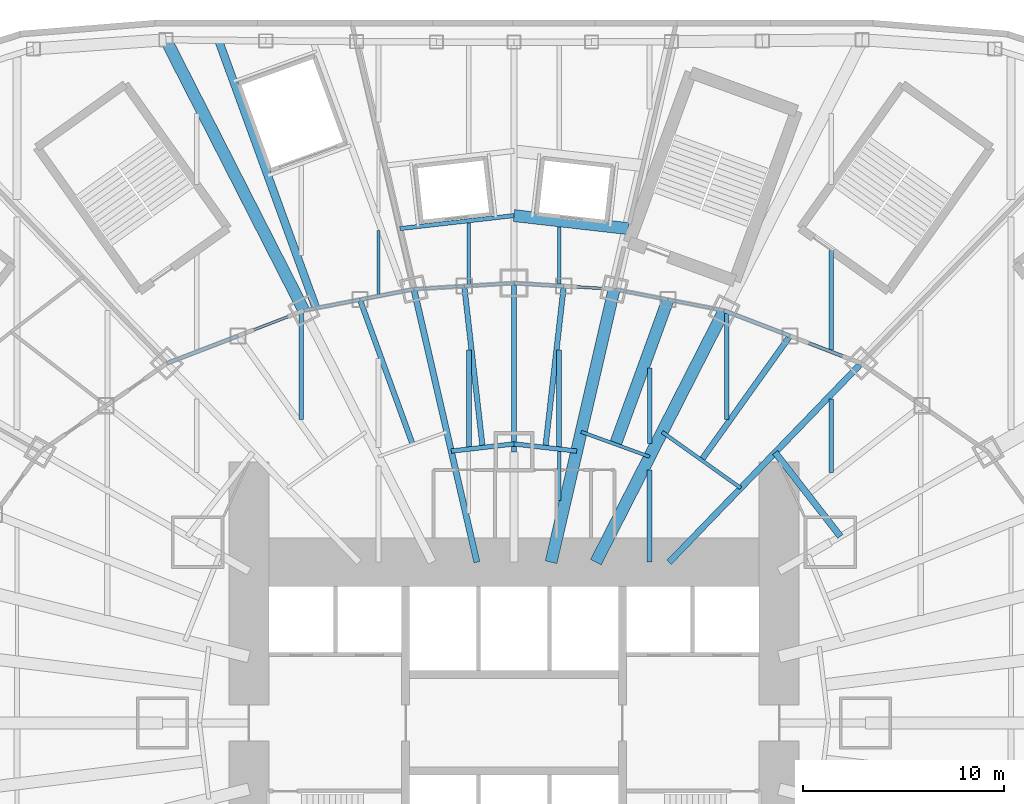
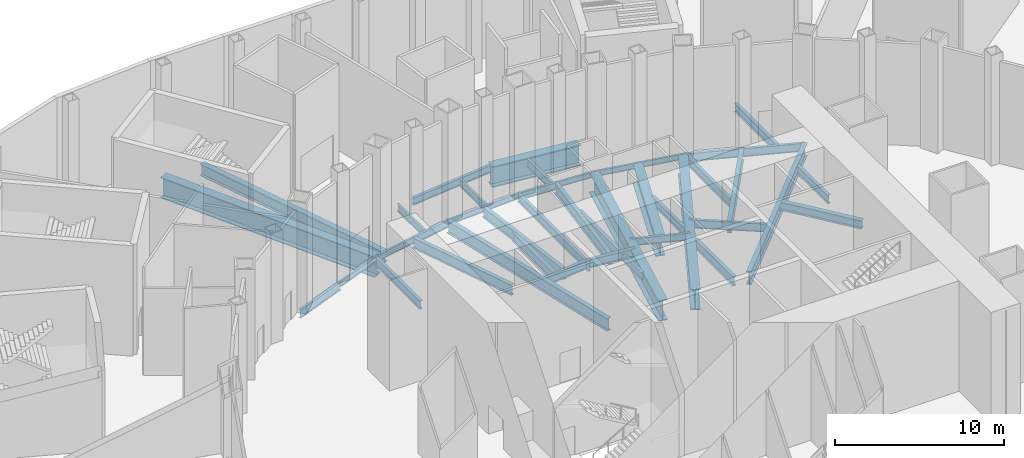
# One storey, part 7 of 74: 43 beams.
"""IFC4 building model written with IfcOpenShell, lengths in metres."""

import ifcopenshell
import ifcopenshell.guid

model = None  # the IFC model being written
_history = None  # IfcOwnerHistory: only IFC2X3 demands one
_inside = {}  # id of a spatial element -> (the spatial element, [elements in it])
_under = {}  # id of a project, library or spatial element -> (it, [spatial elements below it])
_declared = {}  # id of a project -> (the project, [libraries it declares])
_typed = {}  # id of a type object -> (the type object, [elements of that type])
_made_of = {}  # id of a material, layer set ... -> (it, [elements and type objects made of it])


def new_model(schema):
    """Start an empty IFC model of exactly this schema.

    Asked for "IFC4X3", IfcOpenShell would pick the latest addendum, in which some entities
    have other attributes; the version numbers below select the first issue.
    IFC2X3 requires an IfcOwnerHistory on every rooted entity: one is made here for all.
    """
    global model, _history
    if schema == "IFC4X3":
        model = ifcopenshell.file(schema_version=(4, 3, 0, 0))
    else:
        model = ifcopenshell.file(schema=schema)
    _inside.clear()
    _under.clear()
    _declared.clear()
    _typed.clear()
    _made_of.clear()
    _history = None
    if model.schema == "IFC2X3":
        org = make("IfcOrganization", Name="unknown")
        user = make(
            "IfcPersonAndOrganization",
            ThePerson=make("IfcPerson", FamilyName="unknown"),
            TheOrganization=org,
        )
        app = make(
            "IfcApplication",
            ApplicationDeveloper=org,
            Version="unknown",
            ApplicationFullName="unknown",
            ApplicationIdentifier="unknown",
        )
        _history = make(
            "IfcOwnerHistory",
            OwningUser=user,
            OwningApplication=app,
            ChangeAction="ADDED",
            CreationDate=0,
        )
    return model


def make(cls, **values):
    """One entity of the class cls with the attributes given. An attribute that is None is left unset."""
    return model.create_entity(
        cls, **{name: value for name, value in values.items() if value is not None}
    )


def rooted(cls, **values):
    """An entity with a GlobalId (a new one), such as an element, a storey or a relation."""
    return make(cls, GlobalId=ifcopenshell.guid.new(), OwnerHistory=_history, **values)


def si_unit(unit_type, name, prefix=None):
    """IfcSIUnit, for example si_unit("LENGTHUNIT", "METRE", prefix="MILLI")."""
    return make("IfcSIUnit", UnitType=unit_type, Prefix=prefix, Name=name)


def assignment(units):
    """IfcUnitAssignment: the units of a project."""
    return None if units is None else make("IfcUnitAssignment", Units=units)


def point(xyz):
    """IfcCartesianPoint."""
    return None if xyz is None else make("IfcCartesianPoint", Coordinates=xyz)


def direction(xyz):
    """IfcDirection."""
    return None if xyz is None else make("IfcDirection", DirectionRatios=xyz)


def frame(location, z_axis=None, x_axis=None):
    """IfcAxis2Placement3D, a coordinate frame: its origin and axes. An axis left out is left unset."""
    return make(
        "IfcAxis2Placement3D",
        Location=point(location),
        Axis=direction(z_axis),
        RefDirection=direction(x_axis),
    )


def frame_2d(location, x_axis=None):
    """IfcAxis2Placement2D, a coordinate frame in the plane: its origin and x axis."""
    return make(
        "IfcAxis2Placement2D", Location=point(location), RefDirection=direction(x_axis)
    )


def origin():
    """The frame at (0, 0, 0) with its axes left unset."""
    return frame((0.0, 0.0, 0.0))


def origin_2d():
    """The frame at (0, 0) in the plane with its x axis left unset."""
    return frame_2d((0.0, 0.0))


def place(relative_to, where):
    """IfcLocalPlacement: puts the frame where relative to a parent placement (None: the world)."""
    return make(
        "IfcLocalPlacement", PlacementRelTo=relative_to, RelativePlacement=where
    )


def context(
    kind, dimensions, precision=None, world=None, true_north=None, identifier=None
):
    """IfcGeometricRepresentationContext, for example the 3D "Model" context."""
    return make(
        "IfcGeometricRepresentationContext",
        ContextIdentifier=identifier,
        ContextType=kind,
        CoordinateSpaceDimension=dimensions,
        Precision=precision,
        WorldCoordinateSystem=world,
        TrueNorth=true_north,
    )


def subcontext(parent, identifier, kind, view, scale=None):
    """IfcGeometricRepresentationSubContext, for example "Body" below "Model"."""
    return make(
        "IfcGeometricRepresentationSubContext",
        ContextIdentifier=identifier,
        ContextType=kind,
        ParentContext=parent,
        TargetScale=scale,
        TargetView=view,
    )


def project(units=None, contexts=None):
    """IfcProject with its units and contexts."""
    return rooted(
        "IfcProject",
        Name="project",
        RepresentationContexts=contexts,
        UnitsInContext=assignment(units),
    )


def spatial(cls, under=None, at=None, **own):
    """A site, building, storey or space (cls), placed at a placement, below another one or the project."""
    s = rooted(cls, ObjectPlacement=at, **own)
    if under is not None:
        _under.setdefault(under.id(), (under, []))[1].append(s)
    return s


def profile(cls, at=None, kind="AREA", **sizes):
    """A parametric profile (cls). Its sizes go by their IFC names, for example OverallWidth=200.0."""
    return make(cls, ProfileType=kind, Position=at, **sizes)


def i_section(**sizes):
    """IfcIShapeProfileDef."""
    return profile("IfcIShapeProfileDef", **sizes)


def extrude(swept, where, along, depth):
    """IfcExtrudedAreaSolid: the profile swept, set in the frame where, extruded along a direction by depth."""
    return make(
        "IfcExtrudedAreaSolid",
        SweptArea=swept,
        Position=where,
        ExtrudedDirection=direction(along),
        Depth=depth,
    )


def shape(context_of_items, identifier, shape_type, items):
    """IfcShapeRepresentation: the items that make up one representation, for example the "Body"."""
    return make(
        "IfcShapeRepresentation",
        ContextOfItems=context_of_items,
        RepresentationIdentifier=identifier,
        RepresentationType=shape_type,
        Items=items,
    )


def material(Name=None, Category=None):
    """IfcMaterial."""
    return make("IfcMaterial", Name=Name, Category=Category)


def material_profile(
    of_material, cross_section, Name=None, Category=None, Priority=None
):
    """IfcMaterialProfile: a cross section and its material."""
    return make(
        "IfcMaterialProfile",
        Name=Name,
        Material=of_material,
        Profile=cross_section,
        Priority=Priority,
        Category=Category,
    )


def profile_set(profiles, Name=None, composite=None):
    """IfcMaterialProfileSet."""
    return make(
        "IfcMaterialProfileSet",
        Name=Name,
        MaterialProfiles=profiles,
        CompositeProfile=composite,
    )


def made_of(thing, what):
    """Note that an element or type object is made of a material, layer set ...; save() writes the relation."""
    if what is not None:
        _made_of.setdefault(what.id(), (what, []))[1].append(thing)
    return thing


def type_object(cls, material=None, **own):
    """A type object (cls), such as IfcWallType, which elements share."""
    return made_of(rooted(cls, **own), material)


def element(
    cls,
    number,
    at=None,
    inside=None,
    cuts=None,
    type_object=None,
    material=None,
    context=None,
    identifier="Body",
    shape_type=None,
    held_by="IfcProductDefinitionShape",
    body=None,
    shapes=None,
    **own,
):
    """One element of the class cls, such as IfcWall. Its Tag is "e" and its number.

    at: its placement. inside: the storey or other place that contains it. cuts: it is an
    opening in that element (IfcRelVoidsElement). A single representation is given by context,
    identifier, shape_type and body (its items); several are given by shapes. held_by: the class
    of the entity that holds the representations. save() writes the other relations.
    """
    e = rooted(cls, Tag="e%d" % number, ObjectPlacement=at, **own)
    if body is not None:
        shapes = [shape(context, identifier, shape_type, body)]
    if shapes is not None:
        e.Representation = make(held_by, Representations=shapes)
    if inside is not None:
        _inside.setdefault(inside.id(), (inside, []))[1].append(e)
    if cuts is not None:
        rooted(
            "IfcRelVoidsElement", RelatingBuildingElement=cuts, RelatedOpeningElement=e
        )
    if type_object is not None:
        _typed.setdefault(type_object.id(), (type_object, []))[1].append(e)
    return made_of(e, material)


def aggregate(whole, parts):
    """IfcRelAggregates: a whole, such as a stair, and the parts it consists of."""
    return rooted("IfcRelAggregates", RelatingObject=whole, RelatedObjects=parts)


def save(model, path):
    """Write the relations noted so far, then the file.

    IfcRelAggregates (storeys below a building ...), IfcRelContainedInSpatialStructure (elements
    in a storey), IfcRelDefinesByType, IfcRelAssociatesMaterial and IfcRelDeclares: one each for
    every whole, place, type object, material and project.
    """
    for whole, parts in _under.values():
        aggregate(whole, parts)
    for where, things in _inside.values():
        rooted(
            "IfcRelContainedInSpatialStructure",
            RelatedElements=things,
            RelatingStructure=where,
        )
    for kind, things in _typed.values():
        rooted("IfcRelDefinesByType", RelatedObjects=things, RelatingType=kind)
    for what, things in _made_of.values():
        rooted("IfcRelAssociatesMaterial", RelatedObjects=things, RelatingMaterial=what)
    for by, libraries in _declared.values():
        rooted("IfcRelDeclares", RelatingContext=by, RelatedDefinitions=libraries)
    model.write(path)


model = new_model("IFC4")

# Units and contexts
model_context = context("Model", 3, precision=1e-05, world=origin(), true_north=direction((0.0, 1.0)))
body_context = subcontext(model_context, "Body", "Model", "MODEL_VIEW")
ifc_project = project(units=[si_unit("LENGTHUNIT", "METRE"), si_unit("AREAUNIT", "SQUARE_METRE"), si_unit("VOLUMEUNIT", "CUBIC_METRE"), si_unit("PLANEANGLEUNIT", "RADIAN"), si_unit("MASSUNIT", "GRAM", prefix="KILO")], contexts=[model_context])

# Site, building, storey
site_placement = place(None, origin())
site = spatial("IfcSite", under=ifc_project, at=site_placement, CompositionType="ELEMENT")
building_placement = place(site_placement, origin())
building = spatial("IfcBuilding", under=site, at=building_placement, Name="Lantaw Convention Tower", CompositionType="ELEMENT")
storey_placement = place(building_placement, frame((0.0, 0.0, 6.5)))
storey = spatial("IfcBuildingStorey", under=building, at=storey_placement, Name="L01", CompositionType="ELEMENT", Elevation=6.5)

# Beams
ifc_material_1 = material(Name="Steel ASTM A992", Category="steel")
ifc_material_profile_1 = material_profile(ifc_material_1, i_section(OverallWidth=0.140380859375, OverallDepth=0.40380859375, WebThickness=0.007080078125, FlangeThickness=0.01123046875, FilletRadius=0.01025390625, at=origin_2d()), Name="W16X31")
ifc_profile_set_1 = profile_set([ifc_material_profile_1], Name="Steel ASTM A992")
beam_type_1 = type_object("IfcBeamType", Name="Beam E W16X31", PredefinedType="SPANDREL", material=ifc_profile_set_1)
beam_1_placement = place(storey_placement, frame((10.462646484375, 20.533935546875, -0.40185546875), z_axis=(-0.98163593748, 0.190763954266, 0.0), x_axis=(-0.190763954266, -0.98163593748, 0.0)))
element("IfcBeam", 1, at=beam_1_placement, inside=storey, type_object=beam_type_1, Name="Edge beam 5", PredefinedType="SPANDREL", context=body_context, shape_type="SweptSolid", body=[
    extrude(i_section(OverallWidth=0.140380859375, OverallDepth=0.40380859375, WebThickness=0.007080078125, FlangeThickness=0.01123046875, FilletRadius=0.01025390625, at=origin_2d()), origin(), (0.0, 0.0, 1.0), 2.84375),
])
beam_2_placement = place(storey_placement, frame((7.671142578125, 21.076416015625, -0.40185546875), z_axis=(-0.981637218105, 0.190757364289, 0.0), x_axis=(-0.190757364289, -0.981637218105, 0.0)))
element("IfcBeam", 2, at=beam_2_placement, inside=storey, type_object=beam_type_1, Name="Edge beam 5", PredefinedType="SPANDREL", context=body_context, shape_type="SweptSolid", body=[
    extrude(i_section(OverallWidth=0.140380859375, OverallDepth=0.40380859375, WebThickness=0.007080078125, FlangeThickness=0.01123046875, FilletRadius=0.01025390625, at=origin_2d()), origin(), (0.0, 0.0, 1.0), 2.735107421875),
])
beam_3_placement = place(storey_placement, frame((4.986328125, 21.59814453125, -0.40185546875), z_axis=(-0.998172405641, 0.060430527186, 0.0), x_axis=(-0.060430527186, -0.998172405641, 0.0)))
element("IfcBeam", 3, at=beam_3_placement, inside=storey, type_object=beam_type_1, Name="Edge beam 6", PredefinedType="SPANDREL", context=body_context, shape_type="SweptSolid", body=[
    extrude(i_section(OverallWidth=0.140380859375, OverallDepth=0.40380859375, WebThickness=0.007080078125, FlangeThickness=0.01123046875, FilletRadius=0.01025390625, at=origin_2d()), origin(), (0.0, 0.0, 1.0), 2.512939453125),
])
beam_4_placement = place(storey_placement, frame((0.0, 21.89990234375, -0.40185546875), z_axis=(-0.998175328335, -0.060382231685, 0.0), x_axis=(0.060382231685, -0.998175328335, 0.0)))
element("IfcBeam", 4, at=beam_4_placement, inside=storey, type_object=beam_type_1, Name="Edge beam 7", PredefinedType="SPANDREL", context=body_context, shape_type="SweptSolid", body=[
    extrude(i_section(OverallWidth=0.140380859375, OverallDepth=0.40380859375, WebThickness=0.007080078125, FlangeThickness=0.01123046875, FilletRadius=0.01025390625, at=origin_2d()), origin(), (0.0, 0.0, 1.0), 2.482666015625),
])
beam_5_placement = place(storey_placement, frame((-2.47802734375, 21.75, -0.40185546875), z_axis=(-0.998172405641, -0.060430527186, 0.0), x_axis=(0.060430527186, -0.998172405641, 0.0)))
element("IfcBeam", 5, at=beam_5_placement, inside=storey, type_object=beam_type_1, Name="Edge beam 7", PredefinedType="SPANDREL", context=body_context, shape_type="SweptSolid", body=[
    extrude(i_section(OverallWidth=0.140380859375, OverallDepth=0.40380859375, WebThickness=0.007080078125, FlangeThickness=0.01123046875, FilletRadius=0.01025390625, at=origin_2d()), origin(), (0.0, 0.0, 1.0), 2.512939453125),
])
beam_6_placement = place(storey_placement, frame((-10.462646484375, 20.533935546875, -0.40185546875), z_axis=(-0.933241815012, -0.359248820058, 0.0), x_axis=(0.359248820058, -0.933241815012, 0.0)))
element("IfcBeam", 6, at=beam_6_placement, inside=storey, type_object=beam_type_1, Name="Edge beam 9", PredefinedType="SPANDREL", context=body_context, shape_type="SweptSolid", body=[
    extrude(i_section(OverallWidth=0.140380859375, OverallDepth=0.40380859375, WebThickness=0.007080078125, FlangeThickness=0.01123046875, FilletRadius=0.01025390625, at=origin_2d()), origin(), (0.0, 0.0, 1.0), 3.517578125),
])
ifc_material_profile_2 = material_profile(ifc_material_1, i_section(OverallWidth=0.15234375, OverallDepth=0.449462890625, WebThickness=0.007568359375, FlangeThickness=0.0107421875, FilletRadius=0.01025390625, at=origin_2d()), Name="W18X35")
ifc_profile_set_2 = profile_set([ifc_material_profile_2], Name="Steel ASTM A992")
beam_type_2 = type_object("IfcBeamType", Name="Beam E W18X35", PredefinedType="SPANDREL", material=ifc_profile_set_2)
beam_7_placement = place(storey_placement, frame((-7.671142578125, 21.076416015625, -0.4248046875), z_axis=(-0.98163593748, -0.190763954266, 0.0), x_axis=(0.190763954266, -0.98163593748, 0.0)))
element("IfcBeam", 7, at=beam_7_placement, inside=storey, type_object=beam_type_2, Name="Edge beam 8", PredefinedType="SPANDREL", context=body_context, shape_type="SweptSolid", body=[
    extrude(i_section(OverallWidth=0.15234375, OverallDepth=0.449462890625, WebThickness=0.007568359375, FlangeThickness=0.0107421875, FilletRadius=0.01025390625, at=origin_2d()), origin(), (0.0, 0.0, 1.0), 2.84375),
])
ifc_material_profile_3 = material_profile(ifc_material_1, i_section(OverallWidth=0.1650390625, OverallDepth=0.52587890625, WebThickness=0.0087890625, FlangeThickness=0.011474609375, FilletRadius=0.0126953125, at=origin_2d()), Name="W21X44")
ifc_profile_set_3 = profile_set([ifc_material_profile_3], Name="Steel ASTM A992")
beam_type_3 = type_object("IfcBeamType", Name="Beam E W21X44", PredefinedType="SPANDREL", material=ifc_profile_set_3)
beam_8_placement = place(storey_placement, frame((2.47802734375, 21.75, -0.462890625), z_axis=(-0.998175328335, 0.060382231685, 0.0), x_axis=(-0.060382231685, -0.998175328335, 0.0)))
element("IfcBeam", 8, at=beam_8_placement, inside=storey, type_object=beam_type_3, Name="Edge beam 6", PredefinedType="SPANDREL", context=body_context, shape_type="SweptSolid", body=[
    extrude(i_section(OverallWidth=0.1650390625, OverallDepth=0.52587890625, WebThickness=0.0087890625, FlangeThickness=0.011474609375, FilletRadius=0.0126953125, at=origin_2d()), origin(), (0.0, 0.0, 1.0), 2.482666015625),
])
beam_9_placement = place(storey_placement, frame((-4.986328125, 21.59814453125, -0.462890625), z_axis=(-0.981637218105, -0.190757364289, 0.0), x_axis=(0.190757364289, -0.981637218105, 0.0)))
element("IfcBeam", 9, at=beam_9_placement, inside=storey, type_object=beam_type_3, Name="Edge beam 8", PredefinedType="SPANDREL", context=body_context, shape_type="SweptSolid", body=[
    extrude(i_section(OverallWidth=0.1650390625, OverallDepth=0.52587890625, WebThickness=0.0087890625, FlangeThickness=0.011474609375, FilletRadius=0.0126953125, at=origin_2d()), origin(), (0.0, 0.0, 1.0), 2.735107421875),
])
ifc_material_profile_4 = material_profile(ifc_material_1, i_section(OverallWidth=0.177978515625, OverallDepth=0.599365234375, WebThickness=0.010009765625, FlangeThickness=0.012939453125, FilletRadius=0.012939453125, at=origin_2d()), Name="W24X55")
ifc_profile_set_4 = profile_set([ifc_material_profile_4], Name="Steel ASTM A992")
beam_type_4 = type_object("IfcBeamType", Name="Beam E W24X55", PredefinedType="SPANDREL", material=ifc_profile_set_4)
beam_10_placement = place(storey_placement, frame((17.290771484375, 17.9052734375, -0.499755859375), z_axis=(-0.933224646415, 0.359293416754, 0.0), x_axis=(-0.359293416754, -0.933224646415, 0.0)))
element("IfcBeam", 10, at=beam_10_placement, inside=storey, type_object=beam_type_4, Name="Edge beam 4", PredefinedType="SPANDREL", context=body_context, shape_type="SweptSolid", body=[
    extrude(i_section(OverallWidth=0.177978515625, OverallDepth=0.599365234375, WebThickness=0.010009765625, FlangeThickness=0.012939453125, FilletRadius=0.012939453125, at=origin_2d()), origin(), (0.0, 0.0, 1.0), 3.799072265625),
])
beam_11_placement = place(storey_placement, frame((13.745361328125, 19.270263671875, -0.499755859375), z_axis=(-0.933241815012, 0.359248820058, 0.0), x_axis=(-0.359248820058, -0.933241815012, 0.0)))
element("IfcBeam", 11, at=beam_11_placement, inside=storey, type_object=beam_type_4, Name="Edge beam 4", PredefinedType="SPANDREL", context=body_context, shape_type="SweptSolid", body=[
    extrude(i_section(OverallWidth=0.177978515625, OverallDepth=0.599365234375, WebThickness=0.010009765625, FlangeThickness=0.012939453125, FilletRadius=0.012939453125, at=origin_2d()), origin(), (0.0, 0.0, 1.0), 3.517578125),
])
beam_12_placement = place(storey_placement, frame((-13.745361328125, 19.270263671875, -0.499755859375), z_axis=(-0.933224646415, -0.359293416754, 0.0), x_axis=(0.359293416754, -0.933224646415, 0.0)))
element("IfcBeam", 12, at=beam_12_placement, inside=storey, type_object=beam_type_4, Name="Edge beam 9", PredefinedType="SPANDREL", context=body_context, shape_type="SweptSolid", body=[
    extrude(i_section(OverallWidth=0.177978515625, OverallDepth=0.599365234375, WebThickness=0.010009765625, FlangeThickness=0.012939453125, FilletRadius=0.012939453125, at=origin_2d()), origin(), (0.0, 0.0, 1.0), 3.799072265625),
])
ifc_material_2 = material(Name="Steel ASTM A572 Grade 50", Category="steel")
ifc_material_profile_5 = material_profile(ifc_material_2, i_section(OverallWidth=0.60009765625, OverallDepth=1.5, WebThickness=0.02490234375, FlangeThickness=0.06005859375, at=origin_2d()), Name="PG1500X600X25X60")
ifc_profile_set_5 = profile_set([ifc_material_profile_5], Name="Steel ASTM A572 Grade 50")
beam_type_5 = type_object("IfcBeamType", Name="Beam G PG1500X600X25X60", PredefinedType="BEAM", material=ifc_profile_set_5)
beam_13_placement = place(storey_placement, frame((4.076171875, 8.0, -0.949951171875), z_axis=(0.453997016122, 0.891003203896, 0.0), x_axis=(-0.891003203896, 0.453997016122, 0.0)))
element("IfcBeam", 13, at=beam_13_placement, inside=storey, type_object=beam_type_5, Name="Floor girder on ray 5", PredefinedType="BEAM", context=body_context, shape_type="SweptSolid", body=[
    extrude(i_section(OverallWidth=0.60009765625, OverallDepth=1.5, WebThickness=0.02490234375, FlangeThickness=0.06005859375, at=origin_2d()), origin(), (0.0, 0.0, 1.0), 14.067138671875),
])
beam_14_placement = place(storey_placement, frame((5.04931640625, 13.873046875, -0.949951171875), z_axis=(0.342021781151, 0.939692024664, 0.0), x_axis=(-0.939692024664, 0.342021781151, 0.0)))
element("IfcBeam", 14, at=beam_14_placement, inside=storey, type_object=beam_type_5, Name="Floor girder on bisector 5", PredefinedType="BEAM", context=body_context, shape_type="SweptSolid", body=[
    extrude(i_section(OverallWidth=0.60009765625, OverallDepth=1.5, WebThickness=0.02490234375, FlangeThickness=0.06005859375, at=origin_2d()), origin(), (0.0, 0.0, 1.0), 7.665771484375),
])
beam_15_placement = place(storey_placement, frame((1.846923828125, 8.0, -0.949951171875), z_axis=(0.224952773175, 0.97436966796, 0.0), x_axis=(-0.97436966796, 0.224952773175, 0.0)))
element("IfcBeam", 15, at=beam_15_placement, inside=storey, type_object=beam_type_5, Name="Floor girder on ray 6", PredefinedType="BEAM", context=body_context, shape_type="SweptSolid", body=[
    extrude(i_section(OverallWidth=0.60009765625, OverallDepth=1.5, WebThickness=0.02490234375, FlangeThickness=0.06005859375, at=origin_2d()), origin(), (0.0, 0.0, 1.0), 13.955810546875),
])
ifc_material_profile_6 = material_profile(ifc_material_1, i_section(OverallWidth=0.227783203125, OverallDepth=0.60205078125, WebThickness=0.010498046875, FlangeThickness=0.014892578125, FilletRadius=0.012939453125, at=origin_2d()), Name="W24X68")
ifc_profile_set_6 = profile_set([ifc_material_profile_6], Name="Steel ASTM A992")
beam_type_6 = type_object("IfcBeamType", Name="Beam G W24X68", PredefinedType="BEAM", material=ifc_profile_set_6)
beam_16_placement = place(storey_placement, frame((0.0, 13.5, -0.5009765625), z_axis=(0.0, 1.0, 0.0), x_axis=(-1.0, 0.0, 0.0)))
element("IfcBeam", 16, at=beam_16_placement, inside=storey, type_object=beam_type_6, Name="Floor girder on ray 7", PredefinedType="BEAM", context=body_context, shape_type="SweptSolid", body=[
    extrude(i_section(OverallWidth=0.227783203125, OverallDepth=0.60205078125, WebThickness=0.010498046875, FlangeThickness=0.014892578125, FilletRadius=0.012939453125, at=origin_2d()), origin(), (0.0, 0.0, 1.0), 8.39990234375),
])
ifc_material_profile_7 = material_profile(ifc_material_1, i_section(OverallWidth=0.2666015625, OverallDepth=0.7568359375, WebThickness=0.013916015625, FlangeThickness=0.019287109375, FilletRadius=0.0126953125, at=origin_2d()), Name="W30X108")
ifc_profile_set_7 = profile_set([ifc_material_profile_7], Name="Steel ASTM A992")
beam_type_7 = type_object("IfcBeamType", Name="Beam G W30X108", PredefinedType="BEAM", material=ifc_profile_set_7)
beam_17_placement = place(storey_placement, frame((-1.5625, 13.713134765625, -0.578369140625), z_axis=(-0.113183957156, 0.993574049501, 0.0), x_axis=(-0.993574049501, -0.113183957156, 0.0)))
element("IfcBeam", 17, at=beam_17_placement, inside=storey, type_object=beam_type_7, Name="Floor girder on bisector 7", PredefinedType="BEAM", context=body_context, shape_type="SweptSolid", body=[
    extrude(i_section(OverallWidth=0.2666015625, OverallDepth=0.7568359375, WebThickness=0.013916015625, FlangeThickness=0.019287109375, FilletRadius=0.0126953125, at=origin_2d()), origin(), (0.0, 0.0, 1.0), 8.0888671875),
])
ifc_material_profile_8 = material_profile(ifc_material_1, i_section(OverallWidth=0.2666015625, OverallDepth=0.76953125, WebThickness=0.015625, FlangeThickness=0.025390625, FilletRadius=0.0126953125, at=origin_2d()), Name="W30X132")
ifc_profile_set_8 = profile_set([ifc_material_profile_8], Name="Steel ASTM A992")
beam_type_8 = type_object("IfcBeamType", Name="Beam G W30X132", PredefinedType="BEAM", material=ifc_profile_set_8)
beam_18_placement = place(storey_placement, frame((1.5625, 13.713134765625, -0.584716796875), z_axis=(0.113183957156, 0.993574049501, 0.0), x_axis=(-0.993574049501, 0.113183957156, 0.0)))
element("IfcBeam", 18, at=beam_18_placement, inside=storey, type_object=beam_type_8, Name="Floor girder on bisector 6", PredefinedType="BEAM", context=body_context, shape_type="SweptSolid", body=[
    extrude(i_section(OverallWidth=0.2666015625, OverallDepth=0.76953125, WebThickness=0.015625, FlangeThickness=0.025390625, FilletRadius=0.0126953125, at=origin_2d()), origin(), (0.0, 0.0, 1.0), 8.0888671875),
])
beam_19_placement = place(storey_placement, frame((-5.04931640625, 13.873046875, -0.584716796875), z_axis=(-0.342021781151, 0.939692024664, 0.0), x_axis=(-0.939692024664, -0.342021781151, 0.0)))
element("IfcBeam", 19, at=beam_19_placement, inside=storey, type_object=beam_type_8, Name="Floor girder on bisector 8", PredefinedType="BEAM", context=body_context, shape_type="SweptSolid", body=[
    extrude(i_section(OverallWidth=0.2666015625, OverallDepth=0.76953125, WebThickness=0.015625, FlangeThickness=0.025390625, FilletRadius=0.0126953125, at=origin_2d()), origin(), (0.0, 0.0, 1.0), 7.665771484375),
])
ifc_material_profile_9 = material_profile(ifc_material_1, i_section(OverallWidth=0.2919921875, OverallDepth=0.845703125, WebThickness=0.015380859375, FlangeThickness=0.0244140625, FilletRadius=0.01513671875, at=origin_2d()), Name="W33X141")
ifc_profile_set_9 = profile_set([ifc_material_profile_9], Name="Steel ASTM A992")
beam_type_9 = type_object("IfcBeamType", Name="Beam G W33X141", PredefinedType="BEAM", material=ifc_profile_set_9)
beam_20_placement = place(storey_placement, frame((9.335693359375, 13.088134765625, -0.622802734375), z_axis=(0.580702805158, 0.814115625745, 0.0), x_axis=(-0.814115625745, 0.580702805158, 0.0)))
element("IfcBeam", 20, at=beam_20_placement, inside=storey, type_object=beam_type_9, Name="Floor girder on bisector 4", PredefinedType="BEAM", context=body_context, shape_type="SweptSolid", body=[
    extrude(i_section(OverallWidth=0.2919921875, OverallDepth=0.845703125, WebThickness=0.015380859375, FlangeThickness=0.0244140625, FilletRadius=0.01513671875, at=origin_2d()), origin(), (0.0, 0.0, 1.0), 7.59375),
])
ifc_material_profile_10 = material_profile(ifc_material_1, i_section(OverallWidth=0.307373046875, OverallDepth=0.922119140625, WebThickness=0.018310546875, FlangeThickness=0.030029296875, FilletRadius=0.0126953125, at=origin_2d()), Name="W36X182")
ifc_profile_set_10 = profile_set([ifc_material_profile_10], Name="Steel ASTM A992")
beam_type_10 = type_object("IfcBeamType", Name="Beam G W36X182", PredefinedType="BEAM", material=ifc_profile_set_10)
beam_21_placement = place(storey_placement, frame((-1.846923828125, 8.0, -0.660888671875), z_axis=(-0.224952773175, 0.97436966796, 0.0), x_axis=(-0.97436966796, -0.224952773175, 0.0)))
element("IfcBeam", 21, at=beam_21_placement, inside=storey, type_object=beam_type_10, Name="Floor girder on ray 8", PredefinedType="BEAM", context=body_context, shape_type="SweptSolid", body=[
    extrude(i_section(OverallWidth=0.307373046875, OverallDepth=0.922119140625, WebThickness=0.018310546875, FlangeThickness=0.030029296875, FilletRadius=0.0126953125, at=origin_2d()), origin(), (0.0, 0.0, 1.0), 13.955810546875),
])
ifc_material_profile_11 = material_profile(ifc_material_1, i_section(OverallWidth=0.307373046875, OverallDepth=0.9423828125, WebThickness=0.022216796875, FlangeThickness=0.039794921875, FilletRadius=0.0126953125, at=origin_2d()), Name="W36X232")
ifc_profile_set_11 = profile_set([ifc_material_profile_11], Name="Steel ASTM A992")
beam_type_11 = type_object("IfcBeamType", Name="Beam G W36X232", PredefinedType="BEAM", material=ifc_profile_set_11)
beam_22_placement = place(storey_placement, frame((7.7255859375, 8.0, -0.671142578125), z_axis=(0.694649884291, 0.719347995239, 0.0), x_axis=(-0.719347995239, 0.694649884291, 0.0)))
element("IfcBeam", 22, at=beam_22_placement, inside=storey, type_object=beam_type_11, Name="Floor girder on ray 4", PredefinedType="BEAM", context=body_context, shape_type="SweptSolid", body=[
    extrude(i_section(OverallWidth=0.307373046875, OverallDepth=0.9423828125, WebThickness=0.022216796875, FlangeThickness=0.039794921875, FilletRadius=0.0126953125, at=origin_2d()), origin(), (0.0, 0.0, 1.0), 13.769775390625),
])
ifc_material_profile_12 = material_profile(ifc_material_1, i_section(OverallWidth=0.1650390625, OverallDepth=0.52587890625, WebThickness=0.0087890625, FlangeThickness=0.011474609375, FilletRadius=0.0126953125, at=origin_2d()), Name="W21X44")
ifc_profile_set_12 = profile_set([ifc_material_profile_12], Name="Steel ASTM A992")
beam_type_12 = type_object("IfcBeamType", Name="Beam HC W21X44", PredefinedType="BEAM", material=ifc_profile_set_12)
beam_23_placement = place(storey_placement, frame((6.752685546875, 13.253173828125, -0.462890625), z_axis=(-0.939689171859, 0.342029619025, 0.0), x_axis=(-0.342029619025, -0.939689171859, 0.0)))
element("IfcBeam", 23, at=beam_23_placement, inside=storey, type_object=beam_type_12, Name="Collar beam on bisector 5", PredefinedType="BEAM", context=body_context, shape_type="SweptSolid", body=[
    extrude(i_section(OverallWidth=0.1650390625, OverallDepth=0.52587890625, WebThickness=0.0087890625, FlangeThickness=0.011474609375, FilletRadius=0.0126953125, at=origin_2d()), origin(), (0.0, 0.0, 1.0), 3.62548828125),
])
ifc_material_profile_13 = material_profile(ifc_material_1, i_section(OverallWidth=0.3251953125, OverallDepth=0.612060546875, WebThickness=0.0126953125, FlangeThickness=0.01904296875, FilletRadius=0.0126953125, at=origin_2d()), Name="W24X104")
ifc_profile_set_13 = profile_set([ifc_material_profile_13], Name="Steel ASTM A992")
beam_type_13 = type_object("IfcBeamType", Name="Beam HC W24X104", PredefinedType="BEAM", material=ifc_profile_set_13)
beam_24_placement = place(storey_placement, frame((16.2529296875, 9.287353515625, -0.506103515625), z_axis=(-0.613915067401, 0.789372085913, 0.0), x_axis=(-0.789372085913, -0.613915067401, 0.0)))
element("IfcBeam", 24, at=beam_24_placement, inside=storey, type_object=beam_type_13, Name="Collar beam on bisector 3", PredefinedType="BEAM", context=body_context, shape_type="SweptSolid", body=[
    extrude(i_section(OverallWidth=0.3251953125, OverallDepth=0.612060546875, WebThickness=0.0126953125, FlangeThickness=0.01904296875, FilletRadius=0.0126953125, at=origin_2d()), origin(), (0.0, 0.0, 1.0), 5.293212890625),
])
ifc_material_profile_14 = material_profile(ifc_material_1, i_section(OverallWidth=0.177978515625, OverallDepth=0.599365234375, WebThickness=0.010009765625, FlangeThickness=0.012939453125, FilletRadius=0.012939453125, at=origin_2d()), Name="W24X55")
ifc_profile_set_14 = profile_set([ifc_material_profile_14], Name="Steel ASTM A992")
beam_type_14 = type_object("IfcBeamType", Name="Beam HC W24X55", PredefinedType="BEAM", material=ifc_profile_set_14)
beam_25_placement = place(storey_placement, frame((11.291748046875, 11.69287109375, -0.499755859375), z_axis=(-0.814110909588, 0.580709416912, 0.0), x_axis=(-0.580709416912, -0.814110909588, 0.0)))
element("IfcBeam", 25, at=beam_25_placement, inside=storey, type_object=beam_type_14, Name="Collar beam on bisector 4", PredefinedType="BEAM", context=body_context, shape_type="SweptSolid", body=[
    extrude(i_section(OverallWidth=0.177978515625, OverallDepth=0.599365234375, WebThickness=0.010009765625, FlangeThickness=0.012939453125, FilletRadius=0.012939453125, at=origin_2d()), origin(), (0.0, 0.0, 1.0), 4.805419921875),
])
ifc_material_profile_15 = material_profile(ifc_material_1, i_section(OverallWidth=0.227783203125, OverallDepth=0.60205078125, WebThickness=0.010498046875, FlangeThickness=0.014892578125, FilletRadius=0.012939453125, at=origin_2d()), Name="W24X68")
ifc_profile_set_15 = profile_set([ifc_material_profile_15], Name="Steel ASTM A992")
beam_type_15 = type_object("IfcBeamType", Name="Beam HC W24X68", PredefinedType="BEAM", material=ifc_profile_set_15)
for number, where, z_axis, x_axis, name in (
    (26, (3.124755859375, 13.534912109375, -0.5009765625), (-0.99356540907, 0.113259780595, 0.0), (-0.113259780595, -0.99356540907, 0.0), "Collar beam on bisector 6"),
    (27, (0.0, 13.89111328125, -0.5009765625), (-0.99356540907, -0.113259780595, 0.0), (0.113259780595, -0.99356540907, 0.0), "Collar beam on bisector 7"),
):
    element("IfcBeam", number, at=place(storey_placement, frame(where, z_axis=z_axis, x_axis=x_axis)), inside=storey, type_object=beam_type_15, Name=name, PredefinedType="BEAM", context=body_context, shape_type="SweptSolid", body=[
        extrude(i_section(OverallWidth=0.227783203125, OverallDepth=0.60205078125, WebThickness=0.010498046875, FlangeThickness=0.014892578125, FilletRadius=0.012939453125, at=origin_2d()), origin(), (0.0, 0.0, 1.0), 3.14501953125),
    ])
ifc_material_profile_16 = material_profile(ifc_material_1, i_section(OverallWidth=0.1650390625, OverallDepth=0.52587890625, WebThickness=0.0087890625, FlangeThickness=0.011474609375, FilletRadius=0.0126953125, at=origin_2d()), Name="W21X44")
ifc_profile_set_16 = profile_set([ifc_material_profile_16], Name="Steel ASTM A992")
beam_type_16 = type_object("IfcBeamType", Name="Beam J W21X44", PredefinedType="JOIST", material=ifc_profile_set_16)
beam_26_placement = place(storey_placement, frame((-6.75, 21.33935546875, -0.462890625), z_axis=(0.0, 1.0, 0.0), x_axis=(-1.0, 0.0, 0.0)))
element("IfcBeam", 28, at=beam_26_placement, inside=storey, type_object=beam_type_16, Name="Floor joist", PredefinedType="JOIST", context=body_context, shape_type="SweptSolid", body=[
    extrude(i_section(OverallWidth=0.1650390625, OverallDepth=0.52587890625, WebThickness=0.0087890625, FlangeThickness=0.011474609375, FilletRadius=0.0126953125, at=origin_2d()), origin(), (0.0, 0.0, 1.0), 3.189208984375),
])
beam_27_placement = place(storey_placement, frame((-2.25, 21.833984375, -0.462890625), z_axis=(0.0, 1.0, 0.0), x_axis=(-1.0, 0.0, 0.0)))
element("IfcBeam", 29, at=beam_27_placement, inside=storey, type_object=beam_type_16, Name="Floor joist", PredefinedType="JOIST", context=body_context, shape_type="SweptSolid", body=[
    extrude(i_section(OverallWidth=0.1650390625, OverallDepth=0.52587890625, WebThickness=0.0087890625, FlangeThickness=0.011474609375, FilletRadius=0.0126953125, at=origin_2d()), origin(), (0.0, 0.0, 1.0), 3.06640625),
])
ifc_material_profile_17 = material_profile(ifc_material_1, i_section(OverallWidth=0.165771484375, OverallDepth=0.5283203125, WebThickness=0.009765625, FlangeThickness=0.013671875, FilletRadius=0.012939453125, at=origin_2d()), Name="W21X50")
ifc_profile_set_17 = profile_set([ifc_material_profile_17], Name="Steel ASTM A992")
beam_type_17 = type_object("IfcBeamType", Name="Beam J W21X50", PredefinedType="JOIST", material=ifc_profile_set_17)
beam_28_placement = place(storey_placement, frame((2.25, 11.079345703125, -0.464111328125), z_axis=(0.0, 1.0, 0.0), x_axis=(-1.0, 0.0, 0.0)))
element("IfcBeam", 30, at=beam_28_placement, inside=storey, type_object=beam_type_17, Name="Floor joist", PredefinedType="JOIST", context=body_context, shape_type="SweptSolid", body=[
    extrude(i_section(OverallWidth=0.165771484375, OverallDepth=0.5283203125, WebThickness=0.009765625, FlangeThickness=0.013671875, FilletRadius=0.012939453125, at=origin_2d()), origin(), (0.0, 0.0, 1.0), 2.440673828125),
])
ifc_material_profile_18 = material_profile(ifc_material_1, i_section(OverallWidth=0.177978515625, OverallDepth=0.599365234375, WebThickness=0.010009765625, FlangeThickness=0.012939453125, FilletRadius=0.012939453125, at=origin_2d()), Name="W24X55")
ifc_profile_set_18 = profile_set([ifc_material_profile_18], Name="Steel ASTM A992")
beam_type_18 = type_object("IfcBeamType", Name="Beam J W24X55", PredefinedType="JOIST", material=ifc_profile_set_18)
beam_29_placement = place(storey_placement, frame((2.25, 21.846435546875, -0.499755859375), z_axis=(0.0, 1.0, 0.0), x_axis=(-1.0, 0.0, 0.0)))
element("IfcBeam", 31, at=beam_29_placement, inside=storey, type_object=beam_type_18, Name="Floor joist", PredefinedType="JOIST", context=body_context, shape_type="SweptSolid", body=[
    extrude(i_section(OverallWidth=0.177978515625, OverallDepth=0.599365234375, WebThickness=0.010009765625, FlangeThickness=0.012939453125, FilletRadius=0.012939453125, at=origin_2d()), origin(), (0.0, 0.0, 1.0), 2.857666015625),
])
ifc_material_profile_19 = material_profile(ifc_material_1, i_section(OverallWidth=0.227783203125, OverallDepth=0.60205078125, WebThickness=0.010498046875, FlangeThickness=0.014892578125, FilletRadius=0.012939453125, at=origin_2d()), Name="W24X68")
ifc_profile_set_19 = profile_set([ifc_material_profile_19], Name="Steel ASTM A992")
beam_type_19 = type_object("IfcBeamType", Name="Beam J W24X68", PredefinedType="JOIST", material=ifc_profile_set_19)
beam_30_placement = place(storey_placement, frame((6.75, 13.914794921875, -0.5009765625), z_axis=(0.0, 1.0, 0.0), x_axis=(-1.0, 0.0, 0.0)))
element("IfcBeam", 32, at=beam_30_placement, inside=storey, type_object=beam_type_19, Name="Floor joist", PredefinedType="JOIST", context=body_context, shape_type="SweptSolid", body=[
    extrude(i_section(OverallWidth=0.227783203125, OverallDepth=0.60205078125, WebThickness=0.010498046875, FlangeThickness=0.014892578125, FilletRadius=0.012939453125, at=origin_2d()), origin(), (0.0, 0.0, 1.0), 3.75341796875),
])
ifc_material_profile_20 = material_profile(ifc_material_1, i_section(OverallWidth=0.22900390625, OverallDepth=0.612060546875, WebThickness=0.011962890625, FlangeThickness=0.01953125, FilletRadius=0.0126953125, at=origin_2d()), Name="W24X84")
ifc_profile_set_20 = profile_set([ifc_material_profile_20], Name="Steel ASTM A992")
beam_type_20 = type_object("IfcBeamType", Name="Beam J W24X84", PredefinedType="JOIST", material=ifc_profile_set_20)
beam_31_placement = place(storey_placement, frame((-10.60009765625, 15.112060546875, -0.506103515625), z_axis=(0.0, 1.0, 0.0), x_axis=(-1.0, 0.0, 0.0)))
element("IfcBeam", 33, at=beam_31_placement, inside=storey, type_object=beam_type_20, Name="Floor joist", PredefinedType="JOIST", context=body_context, shape_type="SweptSolid", body=[
    extrude(i_section(OverallWidth=0.22900390625, OverallDepth=0.612060546875, WebThickness=0.011962890625, FlangeThickness=0.01953125, FilletRadius=0.0126953125, at=origin_2d()), origin(), (0.0, 0.0, 1.0), 5.293701171875),
])
beam_32_placement = place(storey_placement, frame((10.60009765625, 15.112060546875, -0.506103515625), z_axis=(0.0, 1.0, 0.0), x_axis=(-1.0, 0.0, 0.0)))
element("IfcBeam", 34, at=beam_32_placement, inside=storey, type_object=beam_type_20, Name="Floor joist", PredefinedType="JOIST", context=body_context, shape_type="SweptSolid", body=[
    extrude(i_section(OverallWidth=0.22900390625, OverallDepth=0.612060546875, WebThickness=0.011962890625, FlangeThickness=0.01953125, FilletRadius=0.0126953125, at=origin_2d()), origin(), (0.0, 0.0, 1.0), 5.2734375),
])
beam_33_placement = place(storey_placement, frame((15.800048828125, 12.472900390625, -0.506103515625), z_axis=(0.0, 1.0, 0.0), x_axis=(-1.0, 0.0, 0.0)))
element("IfcBeam", 35, at=beam_33_placement, inside=storey, type_object=beam_type_20, Name="Floor joist", PredefinedType="JOIST", context=body_context, shape_type="SweptSolid", body=[
    extrude(i_section(OverallWidth=0.22900390625, OverallDepth=0.612060546875, WebThickness=0.011962890625, FlangeThickness=0.01953125, FilletRadius=0.0126953125, at=origin_2d()), origin(), (0.0, 0.0, 1.0), 3.667236328125),
])
beam_34_placement = place(storey_placement, frame((15.800048828125, 18.574462890625, -0.506103515625), z_axis=(0.0, 1.0, 0.0), x_axis=(-1.0, 0.0, 0.0)))
element("IfcBeam", 36, at=beam_34_placement, inside=storey, type_object=beam_type_20, Name="Floor joist", PredefinedType="JOIST", context=body_context, shape_type="SweptSolid", body=[
    extrude(i_section(OverallWidth=0.22900390625, OverallDepth=0.612060546875, WebThickness=0.011962890625, FlangeThickness=0.01953125, FilletRadius=0.0126953125, at=origin_2d()), origin(), (0.0, 0.0, 1.0), 4.94921875),
])
ifc_material_profile_21 = material_profile(ifc_material_1, i_section(OverallWidth=0.25390625, OverallDepth=0.683349609375, WebThickness=0.012451171875, FlangeThickness=0.01904296875, FilletRadius=0.01513671875, at=origin_2d()), Name="W27X94")
ifc_profile_set_21 = profile_set([ifc_material_profile_21], Name="Steel ASTM A992")
beam_type_21 = type_object("IfcBeamType", Name="Beam J W27X94", PredefinedType="JOIST", material=ifc_profile_set_21)
for number, where, z_axis, x_axis, name in (
    (37, (-2.25, 13.749267578125, -0.541748046875), (0.0, 1.0, 0.0), (-1.0, 0.0, 0.0), "Floor joist"),
    (38, (2.25, 13.749267578125, -0.541748046875), (0.0, 1.0, 0.0), (-1.0, 0.0, 0.0), "Floor joist"),
):
    element("IfcBeam", number, at=place(storey_placement, frame(where, z_axis=z_axis, x_axis=x_axis)), inside=storey, type_object=beam_type_21, Name=name, PredefinedType="JOIST", context=body_context, shape_type="SweptSolid", body=[
        extrude(i_section(OverallWidth=0.25390625, OverallDepth=0.683349609375, WebThickness=0.012451171875, FlangeThickness=0.01904296875, FilletRadius=0.01513671875, at=origin_2d()), origin(), (0.0, 0.0, 1.0), 4.82080078125),
    ])
beam_35_placement = place(storey_placement, frame((6.75, 8.0, -0.541748046875), z_axis=(0.0, 1.0, 0.0), x_axis=(-1.0, 0.0, 0.0)))
element("IfcBeam", 39, at=beam_35_placement, inside=storey, type_object=beam_type_21, Name="Floor joist", PredefinedType="JOIST", context=body_context, shape_type="SweptSolid", body=[
    extrude(i_section(OverallWidth=0.25390625, OverallDepth=0.683349609375, WebThickness=0.012451171875, FlangeThickness=0.01904296875, FilletRadius=0.01513671875, at=origin_2d()), origin(), (0.0, 0.0, 1.0), 4.5869140625),
])
ifc_material_profile_22 = material_profile(ifc_material_2, i_section(OverallWidth=0.60009765625, OverallDepth=1.5, WebThickness=0.02490234375, FlangeThickness=0.06005859375, at=origin_2d()), Name="PG1500X600X25X60")
ifc_profile_set_22 = profile_set([ifc_material_profile_22], Name="Steel ASTM A572 Grade 50")
beam_type_22 = type_object("IfcBeamType", Name="Beam PG PG1500X600X25X60", PredefinedType="BEAM", material=ifc_profile_set_22)
beam_36_placement = place(storey_placement, frame((-10.462646484375, 20.533935546875, -0.949951171875), z_axis=(-0.453988364005, 0.891007612396, 0.0), x_axis=(-0.891007612396, -0.453988364005, 0.0)))
element("IfcBeam", 40, at=beam_36_placement, inside=storey, type_object=beam_type_22, Name="Podium girder PR09", PredefinedType="BEAM", context=body_context, shape_type="SweptSolid", body=[
    extrude(i_section(OverallWidth=0.60009765625, OverallDepth=1.5, WebThickness=0.02490234375, FlangeThickness=0.06005859375, at=origin_2d()), origin(), (0.0, 0.0, 1.0), 15.135498046875),
])
ifc_material_profile_23 = material_profile(ifc_material_2, i_section(OverallWidth=0.60009765625, OverallDepth=1.5, WebThickness=0.02490234375, FlangeThickness=0.06005859375, at=origin_2d()), Name="PG1500X600X25X60")
ifc_profile_set_23 = profile_set([ifc_material_profile_23], Name="Steel ASTM A572 Grade 50")
beam_type_23 = type_object("IfcBeamType", Name="Beam TR PG1500X600X25X60", PredefinedType="BEAM", material=ifc_profile_set_23)
beam_37_placement = place(storey_placement, frame((5.682861328125, 24.614990234375, -0.949951171875), z_axis=(-0.99357223569, 0.11319987838, 0.0), x_axis=(-0.11319987838, -0.99357223569, 0.0)))
element("IfcBeam", 41, at=beam_37_placement, inside=storey, type_object=beam_type_23, Name="Opening trimmer beam", PredefinedType="BEAM", context=body_context, shape_type="SweptSolid", body=[
    extrude(i_section(OverallWidth=0.60009765625, OverallDepth=1.5, WebThickness=0.02490234375, FlangeThickness=0.06005859375, at=origin_2d()), origin(), (0.0, 0.0, 1.0), 5.7197265625),
])
ifc_material_profile_24 = material_profile(ifc_material_1, i_section(OverallWidth=0.2099609375, OverallDepth=0.535888671875, WebThickness=0.010986328125, FlangeThickness=0.017333984375, FilletRadius=0.012939453125, at=origin_2d()), Name="W21X68")
ifc_profile_set_24 = profile_set([ifc_material_profile_24], Name="Steel ASTM A992")
beam_type_24 = type_object("IfcBeamType", Name="Beam TR W21X68", PredefinedType="BEAM", material=ifc_profile_set_24)
beam_38_placement = place(storey_placement, frame((0.0, 25.262451171875, -0.468017578125), z_axis=(-0.99357223569, -0.11319987838, 0.0), x_axis=(0.11319987838, -0.99357223569, 0.0)))
element("IfcBeam", 42, at=beam_38_placement, inside=storey, type_object=beam_type_24, Name="Opening trimmer beam", PredefinedType="BEAM", context=body_context, shape_type="SweptSolid", body=[
    extrude(i_section(OverallWidth=0.2099609375, OverallDepth=0.535888671875, WebThickness=0.010986328125, FlangeThickness=0.017333984375, FilletRadius=0.012939453125, at=origin_2d()), origin(), (0.0, 0.0, 1.0), 5.7197265625),
])
ifc_material_profile_25 = material_profile(ifc_material_1, i_section(OverallWidth=0.398681640625, OverallDepth=0.85595703125, WebThickness=0.01806640625, FlangeThickness=0.029296875, FilletRadius=0.016357421875, at=origin_2d()), Name="W33X201")
ifc_profile_set_25 = profile_set([ifc_material_profile_25], Name="Steel ASTM A992")
beam_type_25 = type_object("IfcBeamType", Name="Beam TR W33X201", PredefinedType="BEAM", material=ifc_profile_set_25)
beam_39_placement = place(storey_placement, frame((-9.857666015625, 20.6513671875, -0.6279296875), z_axis=(-0.342019208794, 0.939692960927, 0.0), x_axis=(-0.939692960927, -0.342019208794, 0.0)))
element("IfcBeam", 43, at=beam_39_placement, inside=storey, type_object=beam_type_25, Name="Opening trimmer beam", PredefinedType="BEAM", context=body_context, shape_type="SweptSolid", body=[
    extrude(i_section(OverallWidth=0.398681640625, OverallDepth=0.85595703125, WebThickness=0.01806640625, FlangeThickness=0.029296875, FilletRadius=0.016357421875, at=origin_2d()), origin(), (0.0, 0.0, 1.0), 14.196533203125),
])

save(model, "model.ifc")
